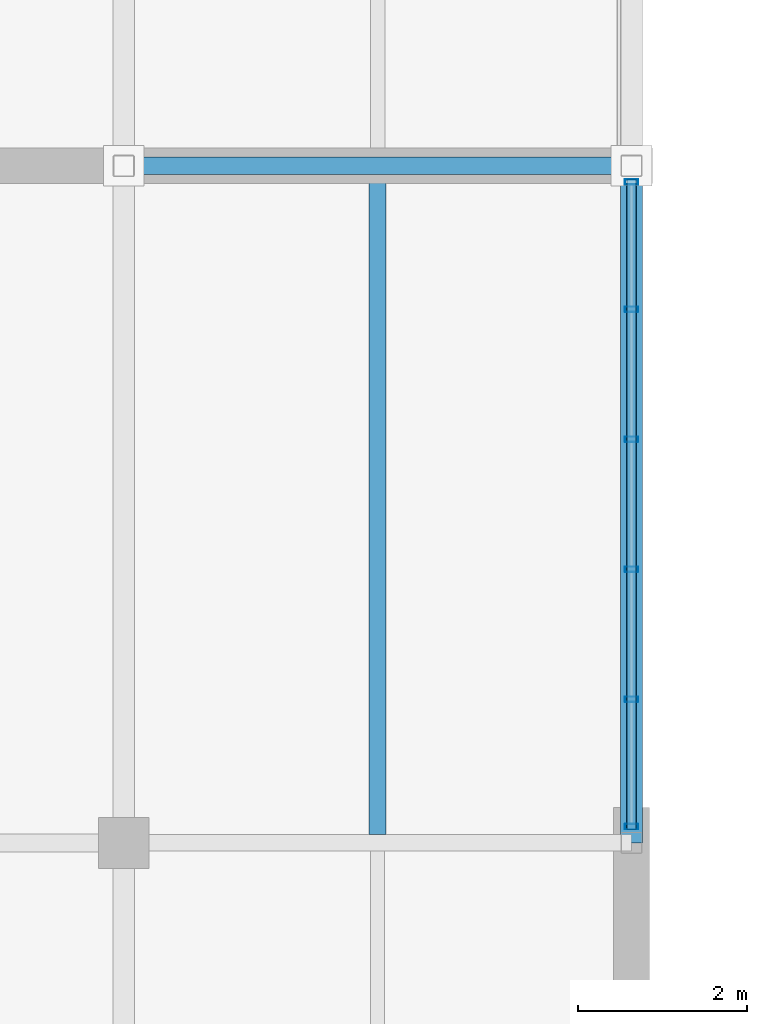
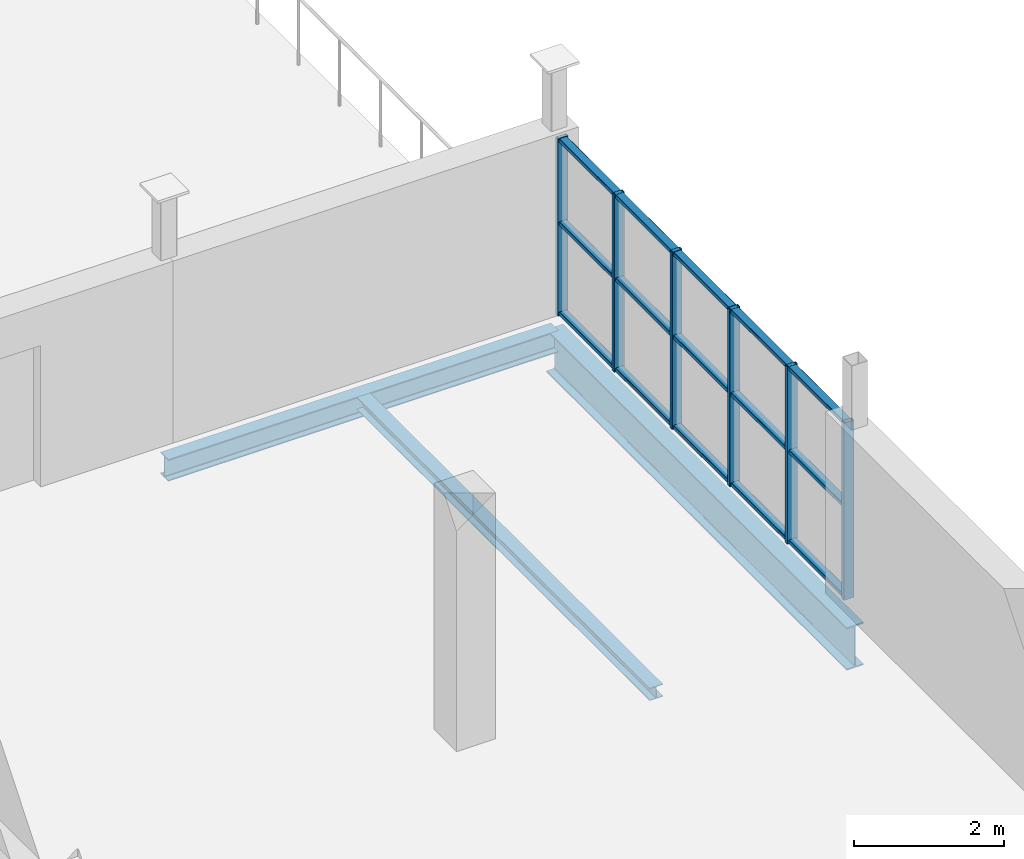
# One storey, part 21 of 35: 9 members, 3 beams, 1 element without a shape of its own.
"""IFC4 building model written with IfcOpenShell, lengths in metres."""

from ifc_helpers import new_model, si_unit, direction, frame, origin, origin_2d, place, context, subcontext, project, spatial, hollow_rectangle, i_section, extrude, material, material_profile, profile_set, type_object, element, aggregate, save


model = new_model("IFC4")

# Units and contexts
model_context = context("Model", 3, precision=1e-05, world=origin(), true_north=direction((0.0, 1.0)))
body_context = subcontext(model_context, "Body", "Model", "MODEL_VIEW")
ifc_project = project(units=[si_unit("LENGTHUNIT", "METRE"), si_unit("AREAUNIT", "SQUARE_METRE"), si_unit("VOLUMEUNIT", "CUBIC_METRE"), si_unit("PLANEANGLEUNIT", "RADIAN"), si_unit("MASSUNIT", "GRAM", prefix="KILO")], contexts=[model_context])

# Site, building, storey
site_placement = place(None, origin())
site = spatial("IfcSite", under=ifc_project, at=site_placement, CompositionType="ELEMENT")
building_placement = place(site_placement, origin())
building = spatial("IfcBuilding", under=site, at=building_placement, Name="Verrall Gate Interchange", CompositionType="ELEMENT")
storey_placement = place(building_placement, frame((0.0, 0.0, 15.39990234375)))
storey = spatial("IfcBuildingStorey", under=building, at=storey_placement, Name="L04", CompositionType="ELEMENT", Elevation=15.39990234375)

# Beams
ifc_material_1 = material(Name="Structural Steel CSA G40.21 350WT Cat 4", Category="steel")
ifc_material_profile_1 = material_profile(ifc_material_1, i_section(OverallWidth=0.256103515625, OverallDepth=0.693115234375, WebThickness=0.01318359375, FlangeThickness=0.02001953125, FilletRadius=0.01611328125, at=origin_2d()), Name="W690x170")
ifc_profile_set_1 = profile_set([ifc_material_profile_1], Name="Structural Steel CSA G40.21 350WT Cat 4")
beam_type_1 = type_object("IfcBeamType", Name="B-07 Structural Beam W690x170", PredefinedType="BEAM", material=ifc_profile_set_1)
beam_1_placement = place(storey_placement, frame((36.0, 66.0, -0.676513671875), z_axis=(0.0, 1.0, 0.0), x_axis=(-1.0, 0.0, 0.0)))
element("IfcBeam", 1, at=beam_1_placement, inside=storey, type_object=beam_type_1, Name="L04 Girder BM-L04-2721 (B-07)", PredefinedType="BEAM", context=body_context, shape_type="SweptSolid", body=[
    extrude(i_section(OverallWidth=0.256103515625, OverallDepth=0.693115234375, WebThickness=0.01318359375, FlangeThickness=0.02001953125, FilletRadius=0.01611328125, at=origin_2d()), origin(), (0.0, 0.0, 1.0), 8.0),
])
ifc_material_2 = material(Name="Structural Steel CSA G40.21 350W", Category="steel")
ifc_material_profile_2 = material_profile(ifc_material_2, i_section(OverallWidth=0.205078125, OverallDepth=0.35400390625, WebThickness=0.009521484375, FlangeThickness=0.016845703125, FilletRadius=0.012939453125, at=origin_2d()), Name="W360x79")
ifc_profile_set_2 = profile_set([ifc_material_profile_2], Name="Structural Steel CSA G40.21 350W")
beam_type_2 = type_object("IfcBeamType", Name="B-14 Structural Beam W360x79", PredefinedType="BEAM", material=ifc_profile_set_2)
beam_2_placement = place(storey_placement, frame((30.0, 74.0, -0.5068359375), z_axis=(1.0, 0.0, 0.0), x_axis=(0.0, 1.0, 0.0)))
element("IfcBeam", 2, at=beam_2_placement, inside=storey, type_object=beam_type_2, Name="L04 Girder BM-L04-2624 (B-14)", PredefinedType="BEAM", context=body_context, shape_type="SweptSolid", body=[
    extrude(i_section(OverallWidth=0.205078125, OverallDepth=0.35400390625, WebThickness=0.009521484375, FlangeThickness=0.016845703125, FilletRadius=0.012939453125, at=origin_2d()), origin(), (0.0, 0.0, 1.0), 6.0),
])

# Curtain wall, members
ifc_material_3 = material(Name="Thermally Broken Anodized Aluminium Curtain Wall Framing", Category="aluminium")
curtain_wall_type = type_object("IfcCurtainWallType", Name="CW-34 Unitized Curtain Wall 7682x2880", PredefinedType="NOTDEFINED", material=ifc_material_3)
curtain_wall_placement = place(storey_placement, origin())
curtain_wall = element("IfcCurtainWall", 3, at=curtain_wall_placement, inside=storey, type_object=curtain_wall_type, Name="L04 Unitized Curtain Wall CW-L04-132", PredefinedType="NOTDEFINED")
ifc_material_4 = material(Name="Thermally Broken Anodized Aluminium Curtain Wall Framing", Category="aluminium")
ifc_material_profile_3 = material_profile(ifc_material_4, hollow_rectangle(XDim=0.06494140625, YDim=0.159912109375, WallThickness=0.00390625, InnerFilletRadius=0.00390625, OuterFilletRadius=0.008056640625, at=origin_2d()), Name="CWM160x65x4")
ifc_profile_set_3 = profile_set([ifc_material_profile_3], Name="Thermally Broken Anodized Aluminium Curtain Wall Framing")
member_type_1 = type_object("IfcMemberType", Name="CM-01 Curtain Mullion CWM160x65x4", PredefinedType="MULLION", material=ifc_profile_set_3)
member_1_placement = place(storey_placement, frame((36.0, 66.19140625, 0.0), z_axis=(0.0, 0.0, 1.0), x_axis=(0.0, 1.0, 0.0)))
member_1 = element("IfcMember", 4, at=member_1_placement, type_object=member_type_1, Name="CW-L04-132 Mullion 1", PredefinedType="MULLION", context=body_context, shape_type="SweptSolid", body=[
    extrude(hollow_rectangle(XDim=0.06494140625, YDim=0.159912109375, WallThickness=0.00390625, InnerFilletRadius=0.00390625, OuterFilletRadius=0.008056640625, at=origin_2d()), origin(), (0.0, 0.0, 1.0), 2.880126953125),
])
member_2_placement = place(storey_placement, frame((36.0, 67.6953125, 0.0), z_axis=(0.0, 0.0, 1.0), x_axis=(0.0, 1.0, 0.0)))
member_2 = element("IfcMember", 5, at=member_2_placement, type_object=member_type_1, Name="CW-L04-132 Mullion 2", PredefinedType="MULLION", context=body_context, shape_type="SweptSolid", body=[
    extrude(hollow_rectangle(XDim=0.06494140625, YDim=0.159912109375, WallThickness=0.00390625, InnerFilletRadius=0.00390625, OuterFilletRadius=0.008056640625, at=origin_2d()), origin(), (0.0, 0.0, 1.0), 2.880126953125),
])
member_3_placement = place(storey_placement, frame((36.0, 69.231689453125, 0.0), z_axis=(0.0, 0.0, 1.0), x_axis=(0.0, 1.0, 0.0)))
member_3 = element("IfcMember", 6, at=member_3_placement, type_object=member_type_1, Name="CW-L04-132 Mullion 3", PredefinedType="MULLION", context=body_context, shape_type="SweptSolid", body=[
    extrude(hollow_rectangle(XDim=0.06494140625, YDim=0.159912109375, WallThickness=0.00390625, InnerFilletRadius=0.00390625, OuterFilletRadius=0.008056640625, at=origin_2d()), origin(), (0.0, 0.0, 1.0), 2.880126953125),
])
member_4_placement = place(storey_placement, frame((36.0, 70.768310546875, 0.0), z_axis=(0.0, 0.0, 1.0), x_axis=(0.0, 1.0, 0.0)))
member_4 = element("IfcMember", 7, at=member_4_placement, type_object=member_type_1, Name="CW-L04-132 Mullion 4", PredefinedType="MULLION", context=body_context, shape_type="SweptSolid", body=[
    extrude(hollow_rectangle(XDim=0.06494140625, YDim=0.159912109375, WallThickness=0.00390625, InnerFilletRadius=0.00390625, OuterFilletRadius=0.008056640625, at=origin_2d()), origin(), (0.0, 0.0, 1.0), 2.880126953125),
])
member_5_placement = place(storey_placement, frame((36.0, 72.3046875, 0.0), z_axis=(0.0, 0.0, 1.0), x_axis=(0.0, 1.0, 0.0)))
member_5 = element("IfcMember", 8, at=member_5_placement, type_object=member_type_1, Name="CW-L04-132 Mullion 5", PredefinedType="MULLION", context=body_context, shape_type="SweptSolid", body=[
    extrude(hollow_rectangle(XDim=0.06494140625, YDim=0.159912109375, WallThickness=0.00390625, InnerFilletRadius=0.00390625, OuterFilletRadius=0.008056640625, at=origin_2d()), origin(), (0.0, 0.0, 1.0), 2.880126953125),
])
member_6_placement = place(storey_placement, frame((36.0, 73.80859375, 0.0), z_axis=(0.0, 0.0, 1.0), x_axis=(0.0, 1.0, 0.0)))
member_6 = element("IfcMember", 9, at=member_6_placement, type_object=member_type_1, Name="CW-L04-132 Mullion 6", PredefinedType="MULLION", context=body_context, shape_type="SweptSolid", body=[
    extrude(hollow_rectangle(XDim=0.06494140625, YDim=0.159912109375, WallThickness=0.00390625, InnerFilletRadius=0.00390625, OuterFilletRadius=0.008056640625, at=origin_2d()), origin(), (0.0, 0.0, 1.0), 2.880126953125),
])
ifc_material_5 = material(Name="Thermally Broken Anodized Aluminium Curtain Wall Framing", Category="aluminium")
ifc_material_profile_4 = material_profile(ifc_material_5, hollow_rectangle(XDim=0.1201171875, YDim=0.06494140625, WallThickness=0.00390625, InnerFilletRadius=0.00390625, OuterFilletRadius=0.008056640625, at=origin_2d()), Name="CWT120x65x4")
ifc_profile_set_4 = profile_set([ifc_material_profile_4], Name="Thermally Broken Anodized Aluminium Curtain Wall Framing")
member_type_2 = type_object("IfcMemberType", Name="CT-01 Curtain Transom CWT120x65x4", PredefinedType="USERDEFINED", material=ifc_profile_set_4)
member_7_placement = place(storey_placement, frame((36.0, 66.158935546875, 0.03271484375), z_axis=(0.0, 1.0, 0.0), x_axis=(-1.0, 0.0, 0.0)))
member_7 = element("IfcMember", 10, at=member_7_placement, type_object=member_type_2, Name="CW-L04-132 Transom 1", ObjectType="TRANSOM", PredefinedType="USERDEFINED", context=body_context, shape_type="SweptSolid", body=[
    extrude(hollow_rectangle(XDim=0.1201171875, YDim=0.06494140625, WallThickness=0.00390625, InnerFilletRadius=0.00390625, OuterFilletRadius=0.008056640625, at=origin_2d()), origin(), (0.0, 0.0, 1.0), 7.68212890625),
])
member_8_placement = place(storey_placement, frame((36.0, 66.158935546875, 1.497802734375), z_axis=(0.0, 1.0, 0.0), x_axis=(-1.0, 0.0, 0.0)))
member_8 = element("IfcMember", 11, at=member_8_placement, type_object=member_type_2, Name="CW-L04-132 Transom 2", ObjectType="TRANSOM", PredefinedType="USERDEFINED", context=body_context, shape_type="SweptSolid", body=[
    extrude(hollow_rectangle(XDim=0.1201171875, YDim=0.06494140625, WallThickness=0.00390625, InnerFilletRadius=0.00390625, OuterFilletRadius=0.008056640625, at=origin_2d()), origin(), (0.0, 0.0, 1.0), 7.68212890625),
])
member_9_placement = place(storey_placement, frame((36.0, 66.158935546875, 2.84765625), z_axis=(0.0, 1.0, 0.0), x_axis=(-1.0, 0.0, 0.0)))
member_9 = element("IfcMember", 12, at=member_9_placement, type_object=member_type_2, Name="CW-L04-132 Transom 3", ObjectType="TRANSOM", PredefinedType="USERDEFINED", context=body_context, shape_type="SweptSolid", body=[
    extrude(hollow_rectangle(XDim=0.1201171875, YDim=0.06494140625, WallThickness=0.00390625, InnerFilletRadius=0.00390625, OuterFilletRadius=0.008056640625, at=origin_2d()), origin(), (0.0, 0.0, 1.0), 7.68212890625),
])
aggregate(curtain_wall, [member_1, member_2, member_3, member_4, member_5, member_6, member_7, member_8, member_9])

# Beam
ifc_material_6 = material(Name="Structural Steel CSA G40.21 350W", Category="steel")
ifc_material_profile_5 = material_profile(ifc_material_6, i_section(OverallWidth=0.202880859375, OverallDepth=0.202880859375, WebThickness=0.007080078125, FlangeThickness=0.010986328125, FilletRadius=0.010009765625, at=origin_2d()), Name="W200x46")
ifc_profile_set_5 = profile_set([ifc_material_profile_5], Name="Structural Steel CSA G40.21 350W")
beam_type_3 = type_object("IfcBeamType", Name="J-07 Floor Joist W200x46", PredefinedType="JOIST", material=ifc_profile_set_5)
beam_3_placement = place(storey_placement, frame((33.0, 66.095947265625, -0.431396484375), z_axis=(0.0, 1.0, 0.0), x_axis=(-1.0, 0.0, 0.0)))
element("IfcBeam", 13, at=beam_3_placement, inside=storey, type_object=beam_type_3, Name="L04 Secondary Floor Joist JST-L04-2839", PredefinedType="JOIST", context=body_context, shape_type="SweptSolid", body=[
    extrude(i_section(OverallWidth=0.202880859375, OverallDepth=0.202880859375, WebThickness=0.007080078125, FlangeThickness=0.010986328125, FilletRadius=0.010009765625, at=origin_2d()), origin(), (0.0, 0.0, 1.0), 7.801513671875),
])

save(model, "model.ifc")
